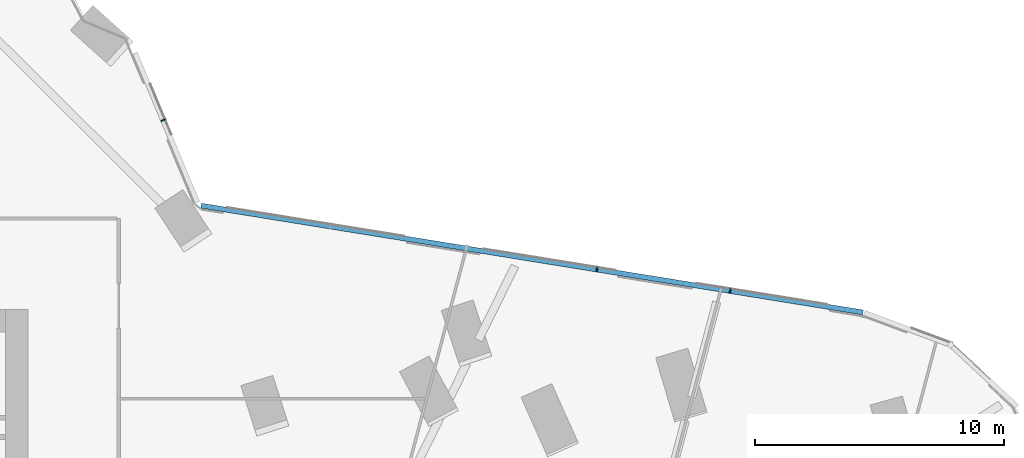
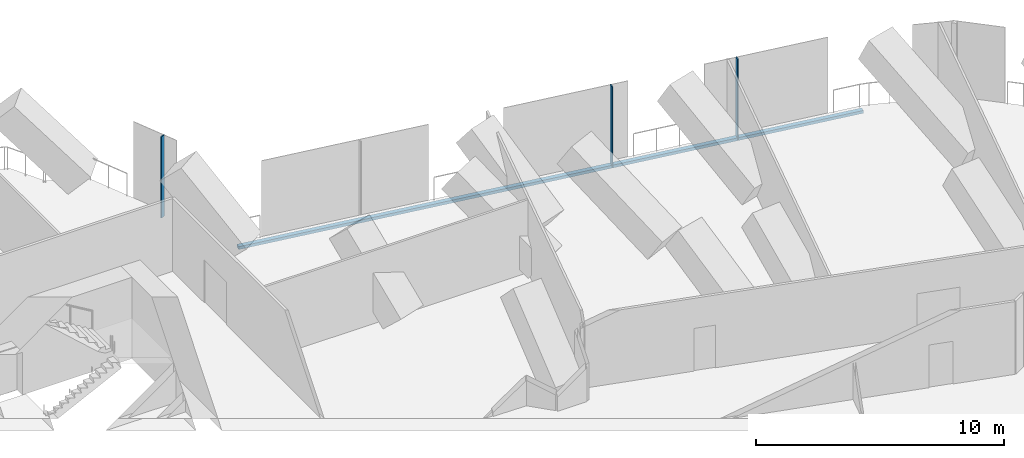
# One storey, part 16 of 37: 4 members, 2 elements without a shape of their own.
"""IFC4 building model written with IfcOpenShell, lengths in metres."""

from ifc_helpers import new_model, si_unit, direction, frame, origin, origin_2d, place, context, subcontext, project, spatial, rectangle, extrude, material, material_profile, profile_set, type_object, element, aggregate, save


model = new_model("IFC4")

# Units and contexts
model_context = context("Model", 3, precision=1e-05, world=origin(), true_north=direction((0.0, 1.0)))
body_context = subcontext(model_context, "Body", "Model", "MODEL_VIEW")
ifc_project = project(units=[si_unit("LENGTHUNIT", "METRE"), si_unit("AREAUNIT", "SQUARE_METRE"), si_unit("VOLUMEUNIT", "CUBIC_METRE"), si_unit("PLANEANGLEUNIT", "RADIAN"), si_unit("MASSUNIT", "GRAM", prefix="KILO")], contexts=[model_context])

# Site, building, storey
site_placement = place(None, origin())
site = spatial("IfcSite", under=ifc_project, at=site_placement, CompositionType="ELEMENT")
building_placement = place(site_placement, origin())
building = spatial("IfcBuilding", under=site, at=building_placement, Name="Orlundy Tower", CompositionType="ELEMENT")
storey_placement = place(building_placement, frame((0.0, 0.0, 119.699951171875)))
storey = spatial("IfcBuildingStorey", under=building, at=storey_placement, Name="L30", CompositionType="ELEMENT", Elevation=119.699951171875)

# Curtain wall, member
ifc_material_1 = material(Name="Aluminium bronze anodised", Category="aluminium")
curtain_wall_type = type_object("IfcCurtainWallType", Name="CW5 wall", PredefinedType="NOTDEFINED", material=ifc_material_1)
curtain_wall_1_placement = place(storey_placement, origin())
curtain_wall_1 = element("IfcCurtainWall", 1, at=curtain_wall_1_placement, inside=storey, type_object=curtain_wall_type, Name="CW5 run 014", PredefinedType="NOTDEFINED")
ifc_material_2 = material(Name="Aluminium bronze anodised", Category="aluminium")
ifc_material_profile_1 = material_profile(ifc_material_2, rectangle(XDim=0.199951171875, YDim=0.050048828125, at=origin_2d()), Name="CW5 mullion 50x200")
ifc_profile_set_1 = profile_set([ifc_material_profile_1], Name="Aluminium bronze anodised")
member_type_1 = type_object("IfcMemberType", Name="CW5 mullion 50x200", PredefinedType="MULLION", material=ifc_profile_set_1)
member_1_placement = place(storey_placement, frame((24.433837890625, 19.60107421875, -0.39990234375), z_axis=(0.0, 0.0, 1.0), x_axis=(0.922741772535, 0.385418760854, 0.0)))
member_1 = element("IfcMember", 2, at=member_1_placement, type_object=member_type_1, Name="CW5 mullion 22", PredefinedType="MULLION", context=body_context, shape_type="SweptSolid", body=[
    extrude(rectangle(XDim=0.199951171875, YDim=0.050048828125, at=origin_2d()), origin(), (0.0, 0.0, 1.0), 4.0),
])
aggregate(curtain_wall_1, [member_1])

# Curtain wall, members
curtain_wall_2_placement = place(storey_placement, origin())
curtain_wall_2 = element("IfcCurtainWall", 3, at=curtain_wall_2_placement, inside=storey, type_object=curtain_wall_type, Name="CW5 run 015", PredefinedType="NOTDEFINED")
member_2_placement = place(storey_placement, frame((41.8603515625, 13.60498046875, -0.39990234375), z_axis=(0.0, 0.0, 1.0), x_axis=(0.159305514177, 0.987229331591, 0.0)))
member_2 = element("IfcMember", 4, at=member_2_placement, type_object=member_type_1, Name="CW5 mullion 26", PredefinedType="MULLION", context=body_context, shape_type="SweptSolid", body=[
    extrude(rectangle(XDim=0.199951171875, YDim=0.050048828125, at=origin_2d()), origin(), (0.0, 0.0, 1.0), 4.0),
])
member_3_placement = place(storey_placement, frame((47.212158203125, 12.7412109375, -0.39990234375), z_axis=(0.0, 0.0, 1.0), x_axis=(0.159305514177, 0.987229331591, 0.0)))
member_3 = element("IfcMember", 5, at=member_3_placement, type_object=member_type_1, Name="CW5 mullion 27", PredefinedType="MULLION", context=body_context, shape_type="SweptSolid", body=[
    extrude(rectangle(XDim=0.199951171875, YDim=0.050048828125, at=origin_2d()), origin(), (0.0, 0.0, 1.0), 4.0),
])
ifc_material_3 = material(Name="Aluminium bronze anodised", Category="aluminium")
ifc_material_profile_2 = material_profile(ifc_material_3, rectangle(XDim=0.199951171875, YDim=0.139892578125, at=origin_2d()), Name="CW5 transom 200x140")
ifc_profile_set_2 = profile_set([ifc_material_profile_2], Name="Aluminium bronze anodised")
member_type_2 = type_object("IfcMemberType", Name="CW5 transom 200x140", PredefinedType="USERDEFINED", material=ifc_profile_set_2)
member_4_placement = place(storey_placement, frame((25.95849609375, 16.1708984375, -0.329833984375), z_axis=(0.987229396958, -0.159305109091, 0.0), x_axis=(0.159305109091, 0.987229396958, 0.0)))
member_4 = element("IfcMember", 6, at=member_4_placement, type_object=member_type_2, Name="CW5 transom", ObjectType="TRANSOM", PredefinedType="USERDEFINED", context=body_context, shape_type="SweptSolid", body=[
    extrude(rectangle(XDim=0.199951171875, YDim=0.139892578125, at=origin_2d()), origin(), (0.0, 0.0, 1.0), 26.934326171875),
])
aggregate(curtain_wall_2, [member_2, member_3, member_4])

save(model, "model.ifc")
